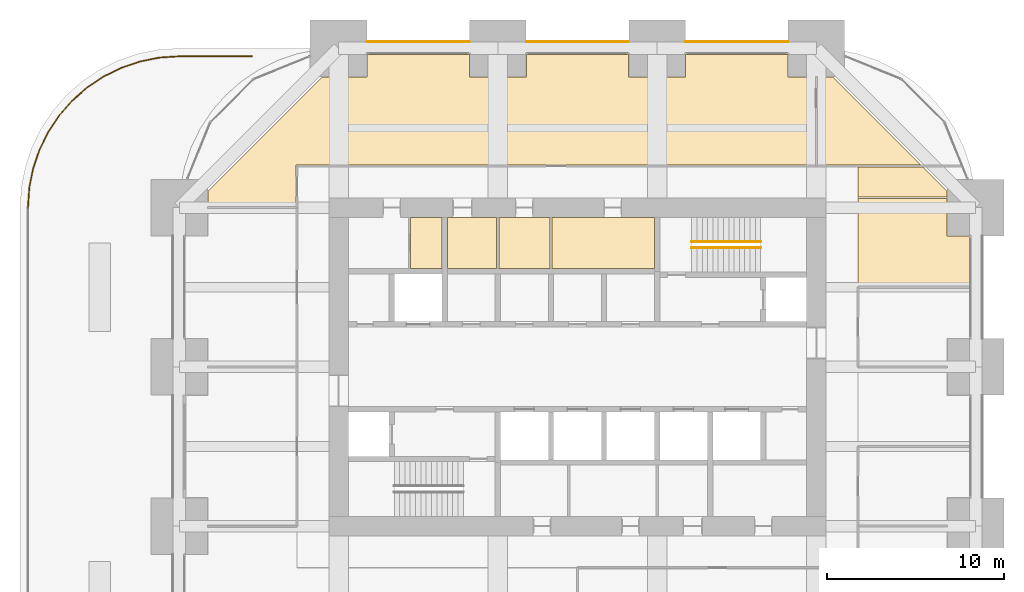
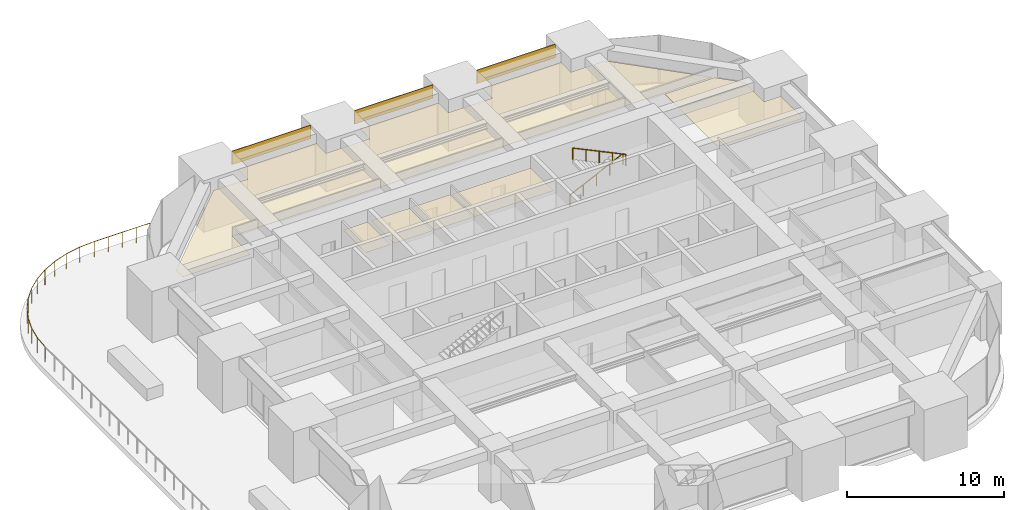
# One storey, part 40 of 40: 11 coverings, 3 railings.
"""IFC4 building model written with IfcOpenShell, lengths in metres."""

import ifcopenshell
import ifcopenshell.guid

model = None  # the IFC model being written
_history = None  # IfcOwnerHistory: only IFC2X3 demands one
_inside = {}  # id of a spatial element -> (the spatial element, [elements in it])
_under = {}  # id of a project, library or spatial element -> (it, [spatial elements below it])
_declared = {}  # id of a project -> (the project, [libraries it declares])
_typed = {}  # id of a type object -> (the type object, [elements of that type])
_made_of = {}  # id of a material, layer set ... -> (it, [elements and type objects made of it])


def new_model(schema):
    """Start an empty IFC model of exactly this schema.

    Asked for "IFC4X3", IfcOpenShell would pick the latest addendum, in which some entities
    have other attributes; the version numbers below select the first issue.
    IFC2X3 requires an IfcOwnerHistory on every rooted entity: one is made here for all.
    """
    global model, _history
    if schema == "IFC4X3":
        model = ifcopenshell.file(schema_version=(4, 3, 0, 0))
    else:
        model = ifcopenshell.file(schema=schema)
    _inside.clear()
    _under.clear()
    _declared.clear()
    _typed.clear()
    _made_of.clear()
    _history = None
    if model.schema == "IFC2X3":
        org = make("IfcOrganization", Name="unknown")
        user = make(
            "IfcPersonAndOrganization",
            ThePerson=make("IfcPerson", FamilyName="unknown"),
            TheOrganization=org,
        )
        app = make(
            "IfcApplication",
            ApplicationDeveloper=org,
            Version="unknown",
            ApplicationFullName="unknown",
            ApplicationIdentifier="unknown",
        )
        _history = make(
            "IfcOwnerHistory",
            OwningUser=user,
            OwningApplication=app,
            ChangeAction="ADDED",
            CreationDate=0,
        )
    return model


def make(cls, **values):
    """One entity of the class cls with the attributes given. An attribute that is None is left unset."""
    return model.create_entity(
        cls, **{name: value for name, value in values.items() if value is not None}
    )


def rooted(cls, **values):
    """An entity with a GlobalId (a new one), such as an element, a storey or a relation."""
    return make(cls, GlobalId=ifcopenshell.guid.new(), OwnerHistory=_history, **values)


def si_unit(unit_type, name, prefix=None):
    """IfcSIUnit, for example si_unit("LENGTHUNIT", "METRE", prefix="MILLI")."""
    return make("IfcSIUnit", UnitType=unit_type, Prefix=prefix, Name=name)


def assignment(units):
    """IfcUnitAssignment: the units of a project."""
    return None if units is None else make("IfcUnitAssignment", Units=units)


def point(xyz):
    """IfcCartesianPoint."""
    return None if xyz is None else make("IfcCartesianPoint", Coordinates=xyz)


def direction(xyz):
    """IfcDirection."""
    return None if xyz is None else make("IfcDirection", DirectionRatios=xyz)


def frame(location, z_axis=None, x_axis=None):
    """IfcAxis2Placement3D, a coordinate frame: its origin and axes. An axis left out is left unset."""
    return make(
        "IfcAxis2Placement3D",
        Location=point(location),
        Axis=direction(z_axis),
        RefDirection=direction(x_axis),
    )


def frame_2d(location, x_axis=None):
    """IfcAxis2Placement2D, a coordinate frame in the plane: its origin and x axis."""
    return make(
        "IfcAxis2Placement2D", Location=point(location), RefDirection=direction(x_axis)
    )


def origin():
    """The frame at (0, 0, 0) with its axes left unset."""
    return frame((0.0, 0.0, 0.0))


def origin_2d():
    """The frame at (0, 0) in the plane with its x axis left unset."""
    return frame_2d((0.0, 0.0))


def place(relative_to, where):
    """IfcLocalPlacement: puts the frame where relative to a parent placement (None: the world)."""
    return make(
        "IfcLocalPlacement", PlacementRelTo=relative_to, RelativePlacement=where
    )


def context(
    kind, dimensions, precision=None, world=None, true_north=None, identifier=None
):
    """IfcGeometricRepresentationContext, for example the 3D "Model" context."""
    return make(
        "IfcGeometricRepresentationContext",
        ContextIdentifier=identifier,
        ContextType=kind,
        CoordinateSpaceDimension=dimensions,
        Precision=precision,
        WorldCoordinateSystem=world,
        TrueNorth=true_north,
    )


def subcontext(parent, identifier, kind, view, scale=None):
    """IfcGeometricRepresentationSubContext, for example "Body" below "Model"."""
    return make(
        "IfcGeometricRepresentationSubContext",
        ContextIdentifier=identifier,
        ContextType=kind,
        ParentContext=parent,
        TargetScale=scale,
        TargetView=view,
    )


def project(units=None, contexts=None):
    """IfcProject with its units and contexts."""
    return rooted(
        "IfcProject",
        Name="project",
        RepresentationContexts=contexts,
        UnitsInContext=assignment(units),
    )


def spatial(cls, under=None, at=None, **own):
    """A site, building, storey or space (cls), placed at a placement, below another one or the project."""
    s = rooted(cls, ObjectPlacement=at, **own)
    if under is not None:
        _under.setdefault(under.id(), (under, []))[1].append(s)
    return s


def polyline(points):
    """IfcPolyline through the points."""
    return make("IfcPolyline", Points=[point(p) for p in points])


def profile(cls, at=None, kind="AREA", **sizes):
    """A parametric profile (cls). Its sizes go by their IFC names, for example OverallWidth=200.0."""
    return make(cls, ProfileType=kind, Position=at, **sizes)


def rectangle(**sizes):
    """IfcRectangleProfileDef."""
    return profile("IfcRectangleProfileDef", **sizes)


def circle(**sizes):
    """IfcCircleProfileDef."""
    return profile("IfcCircleProfileDef", **sizes)


def outline(outer, holes=None, kind="AREA"):
    """IfcArbitraryClosedProfileDef: a profile drawn as a closed curve; with holes, ...WithVoids."""
    if holes is None:
        return make("IfcArbitraryClosedProfileDef", ProfileType=kind, OuterCurve=outer)
    return make(
        "IfcArbitraryProfileDefWithVoids",
        ProfileType=kind,
        OuterCurve=outer,
        InnerCurves=holes,
    )


def extrude(swept, where, along, depth):
    """IfcExtrudedAreaSolid: the profile swept, set in the frame where, extruded along a direction by depth."""
    return make(
        "IfcExtrudedAreaSolid",
        SweptArea=swept,
        Position=where,
        ExtrudedDirection=direction(along),
        Depth=depth,
    )


def shape(context_of_items, identifier, shape_type, items):
    """IfcShapeRepresentation: the items that make up one representation, for example the "Body"."""
    return make(
        "IfcShapeRepresentation",
        ContextOfItems=context_of_items,
        RepresentationIdentifier=identifier,
        RepresentationType=shape_type,
        Items=items,
    )


def material(Name=None, Category=None):
    """IfcMaterial."""
    return make("IfcMaterial", Name=Name, Category=Category)


def layer(
    of_material, thickness, ventilated=None, Name=None, Category=None, Priority=None
):
    """IfcMaterialLayer: one layer of a wall or slab, of a material (None: an air gap)."""
    return make(
        "IfcMaterialLayer",
        Material=of_material,
        LayerThickness=thickness,
        IsVentilated=ventilated,
        Name=Name,
        Category=Category,
        Priority=Priority,
    )


def layer_set(layers, Name=None):
    """IfcMaterialLayerSet."""
    return make("IfcMaterialLayerSet", MaterialLayers=layers, LayerSetName=Name)


def made_of(thing, what):
    """Note that an element or type object is made of a material, layer set ...; save() writes the relation."""
    if what is not None:
        _made_of.setdefault(what.id(), (what, []))[1].append(thing)
    return thing


def type_object(cls, material=None, **own):
    """A type object (cls), such as IfcWallType, which elements share."""
    return made_of(rooted(cls, **own), material)


def element(
    cls,
    number,
    at=None,
    inside=None,
    cuts=None,
    type_object=None,
    material=None,
    context=None,
    identifier="Body",
    shape_type=None,
    held_by="IfcProductDefinitionShape",
    body=None,
    shapes=None,
    **own,
):
    """One element of the class cls, such as IfcWall. Its Tag is "e" and its number.

    at: its placement. inside: the storey or other place that contains it. cuts: it is an
    opening in that element (IfcRelVoidsElement). A single representation is given by context,
    identifier, shape_type and body (its items); several are given by shapes. held_by: the class
    of the entity that holds the representations. save() writes the other relations.
    """
    e = rooted(cls, Tag="e%d" % number, ObjectPlacement=at, **own)
    if body is not None:
        shapes = [shape(context, identifier, shape_type, body)]
    if shapes is not None:
        e.Representation = make(held_by, Representations=shapes)
    if inside is not None:
        _inside.setdefault(inside.id(), (inside, []))[1].append(e)
    if cuts is not None:
        rooted(
            "IfcRelVoidsElement", RelatingBuildingElement=cuts, RelatedOpeningElement=e
        )
    if type_object is not None:
        _typed.setdefault(type_object.id(), (type_object, []))[1].append(e)
    return made_of(e, material)


def aggregate(whole, parts):
    """IfcRelAggregates: a whole, such as a stair, and the parts it consists of."""
    return rooted("IfcRelAggregates", RelatingObject=whole, RelatedObjects=parts)


def save(model, path):
    """Write the relations noted so far, then the file.

    IfcRelAggregates (storeys below a building ...), IfcRelContainedInSpatialStructure (elements
    in a storey), IfcRelDefinesByType, IfcRelAssociatesMaterial and IfcRelDeclares: one each for
    every whole, place, type object, material and project.
    """
    for whole, parts in _under.values():
        aggregate(whole, parts)
    for where, things in _inside.values():
        rooted(
            "IfcRelContainedInSpatialStructure",
            RelatedElements=things,
            RelatingStructure=where,
        )
    for kind, things in _typed.values():
        rooted("IfcRelDefinesByType", RelatedObjects=things, RelatingType=kind)
    for what, things in _made_of.values():
        rooted("IfcRelAssociatesMaterial", RelatedObjects=things, RelatingMaterial=what)
    for by, libraries in _declared.values():
        rooted("IfcRelDeclares", RelatingContext=by, RelatedDefinitions=libraries)
    model.write(path)


model = new_model("IFC4")

# Units and contexts
model_context = context("Model", 3, precision=1e-05, world=origin(), true_north=direction((0.0, 1.0)))
body_context = subcontext(model_context, "Body", "Model", "MODEL_VIEW")
ifc_project = project(units=[si_unit("LENGTHUNIT", "METRE"), si_unit("AREAUNIT", "SQUARE_METRE"), si_unit("VOLUMEUNIT", "CUBIC_METRE"), si_unit("PLANEANGLEUNIT", "RADIAN"), si_unit("MASSUNIT", "GRAM", prefix="KILO")], contexts=[model_context])

# Site, building, storey
site_placement = place(None, origin())
site = spatial("IfcSite", under=ifc_project, at=site_placement, CompositionType="ELEMENT")
building_placement = place(site_placement, origin())
building = spatial("IfcBuilding", under=site, at=building_placement, Name="Zorevar Civic Tower", CompositionType="ELEMENT")
storey_placement = place(building_placement, frame((0.0, 0.0, 239.39990234375)))
storey = spatial("IfcBuildingStorey", under=building, at=storey_placement, Name="L58", CompositionType="ELEMENT", Elevation=239.39990234375)

# Railings
ifc_material_1 = material(Name="Black steel posts and laminated glass", Category="steel")
railing_type_1 = type_object("IfcRailingType", Name="Guard GR1 1200", PredefinedType="GUARDRAIL", material=ifc_material_1)
railing_1_placement = place(storey_placement, frame((0.449951171875, 35.9853515625, 0.0)))
element("IfcRailing", 1, at=railing_1_placement, inside=storey, type_object=railing_type_1, Name="Guard GR1 L58", PredefinedType="GUARDRAIL", context=body_context, shape_type="SweptSolid", body=[
    extrude(circle(Radius=0.02392578125, at=origin_2d()), frame((0.0, 0.0, 1.17578125), z_axis=(0.065503586587, 0.997852333837, 0.0), x_axis=(-0.997852333837, 0.065503586587, 0.0)), (0.0, 0.0, 1.0), 1.133056640625),
    extrude(circle(Radius=0.02392578125, at=origin_2d()), frame((0.07421875, 1.130615234375, 1.17578125), z_axis=(0.194982288456, 0.980806763429, 0.0), x_axis=(-0.980806763429, 0.194982288456, 0.0)), (0.0, 0.0, 1.0), 1.1181640625),
    extrude(circle(Radius=0.02392578125, at=origin_2d()), frame((0.292236328125, 2.227294921875, 1.17578125), z_axis=(0.321593506374, 0.946877825624, 0.0), x_axis=(-0.946877825624, 0.321593506374, 0.0)), (0.0, 0.0, 1.0), 1.1181640625),
    extrude(circle(Radius=0.02392578125, at=origin_2d()), frame((0.65185546875, 3.2861328125, 1.17578125), z_axis=(0.442316540366, 0.896859006823, 0.0), x_axis=(-0.896859006823, 0.442316540366, 0.0)), (0.0, 0.0, 1.0), 1.1181640625),
    extrude(circle(Radius=0.02392578125, at=origin_2d()), frame((1.146484375, 4.2890625, 1.17578125), z_axis=(0.555405337512, 0.831579768311, 0.0), x_axis=(-0.831579768311, 0.555405337512, 0.0)), (0.0, 0.0, 1.0), 1.1181640625),
    extrude(circle(Radius=0.02392578125, at=origin_2d()), frame((1.767578125, 5.218994140625, 1.17578125), z_axis=(0.659307936578, 0.751873024363, 0.0), x_axis=(-0.751873024363, 0.659307936578, 0.0)), (0.0, 0.0, 1.0), 1.118408203125),
    extrude(circle(Radius=0.02392578125, at=origin_2d()), frame((2.5048828125, 6.059814453125, 1.17578125), z_axis=(0.751873024363, 0.659307936578, 0.0), x_axis=(-0.659307936578, 0.751873024363, 0.0)), (0.0, 0.0, 1.0), 1.118408203125),
    extrude(circle(Radius=0.02392578125, at=origin_2d()), frame((3.345703125, 6.797119140625, 1.17578125), z_axis=(0.831579768311, 0.555405337512, 0.0), x_axis=(-0.555405337512, 0.831579768311, 0.0)), (0.0, 0.0, 1.0), 1.1181640625),
    extrude(circle(Radius=0.02392578125, at=origin_2d()), frame((4.275634765625, 7.418212890625, 1.17578125), z_axis=(0.896859006823, 0.442316540366, 0.0), x_axis=(-0.442316540366, 0.896859006823, 0.0)), (0.0, 0.0, 1.0), 1.1181640625),
    extrude(circle(Radius=0.02392578125, at=origin_2d()), frame((5.278564453125, 7.912841796875, 1.17578125), z_axis=(0.946877825624, 0.321593506374, 0.0), x_axis=(-0.321593506374, 0.946877825624, 0.0)), (0.0, 0.0, 1.0), 1.1181640625),
    extrude(circle(Radius=0.02392578125, at=origin_2d()), frame((6.33740234375, 8.2724609375, 1.17578125), z_axis=(0.980806763429, 0.194982288456, 0.0), x_axis=(-0.194982288456, 0.980806763429, 0.0)), (0.0, 0.0, 1.0), 1.1181640625),
    extrude(circle(Radius=0.02392578125, at=origin_2d()), frame((7.43408203125, 8.490478515625, 1.17578125), z_axis=(0.997852333837, 0.065503586587, 0.0), x_axis=(-0.065503586587, 0.997852333837, 0.0)), (0.0, 0.0, 1.0), 1.133056640625),
    extrude(circle(Radius=0.02392578125, at=origin_2d()), frame((8.564697265625, 8.564697265625, 1.17578125), z_axis=(1.0, 0.0, 0.0), x_axis=(0.0, 1.0, 0.0)), (0.0, 0.0, 1.0), 4.09619140625),
    extrude(circle(Radius=0.02099609375, at=origin_2d()), origin(), (0.0, 0.0, 1.0), 1.15185546875),
    extrude(circle(Radius=0.02099609375, at=origin_2d()), frame((0.07421875, 1.130615234375, 0.0)), (0.0, 0.0, 1.0), 1.15185546875),
    extrude(circle(Radius=0.02099609375, at=origin_2d()), frame((0.292236328125, 2.227294921875, 0.0)), (0.0, 0.0, 1.0), 1.15185546875),
    extrude(circle(Radius=0.02099609375, at=origin_2d()), frame((0.65185546875, 3.2861328125, 0.0)), (0.0, 0.0, 1.0), 1.15185546875),
    extrude(circle(Radius=0.02099609375, at=origin_2d()), frame((1.146484375, 4.2890625, 0.0)), (0.0, 0.0, 1.0), 1.15185546875),
    extrude(circle(Radius=0.02099609375, at=origin_2d()), frame((1.767578125, 5.218994140625, 0.0)), (0.0, 0.0, 1.0), 1.15185546875),
    extrude(circle(Radius=0.02099609375, at=origin_2d()), frame((2.5048828125, 6.059814453125, 0.0)), (0.0, 0.0, 1.0), 1.15185546875),
    extrude(circle(Radius=0.02099609375, at=origin_2d()), frame((3.345703125, 6.797119140625, 0.0)), (0.0, 0.0, 1.0), 1.15185546875),
    extrude(circle(Radius=0.02099609375, at=origin_2d()), frame((4.275634765625, 7.418212890625, 0.0)), (0.0, 0.0, 1.0), 1.15185546875),
    extrude(circle(Radius=0.02099609375, at=origin_2d()), frame((5.278564453125, 7.912841796875, 0.0)), (0.0, 0.0, 1.0), 1.15185546875),
    extrude(circle(Radius=0.02099609375, at=origin_2d()), frame((6.33740234375, 8.2724609375, 0.0)), (0.0, 0.0, 1.0), 1.15185546875),
    extrude(circle(Radius=0.02099609375, at=origin_2d()), frame((7.43408203125, 8.490478515625, 0.0)), (0.0, 0.0, 1.0), 1.15185546875),
    extrude(circle(Radius=0.02099609375, at=origin_2d()), frame((8.564697265625, 8.564697265625, 0.0)), (0.0, 0.0, 1.0), 1.15185546875),
    extrude(circle(Radius=0.02099609375, at=origin_2d()), frame((9.5888671875, 8.564697265625, 0.0)), (0.0, 0.0, 1.0), 1.15185546875),
    extrude(circle(Radius=0.02099609375, at=origin_2d()), frame((10.61279296875, 8.564697265625, 0.0)), (0.0, 0.0, 1.0), 1.15185546875),
    extrude(circle(Radius=0.02099609375, at=origin_2d()), frame((11.63671875, 8.564697265625, 0.0)), (0.0, 0.0, 1.0), 1.15185546875),
    extrude(circle(Radius=0.02099609375, at=origin_2d()), frame((12.660888671875, 8.564697265625, 0.0)), (0.0, 0.0, 1.0), 1.15185546875),
])
ifc_material_2 = material(Name="Black steel handrail", Category="steel")
railing_type_2 = type_object("IfcRailingType", Name="Handrail HR1 900", PredefinedType="HANDRAIL", material=ifc_material_2)
railing_2_placement = place(storey_placement, frame((37.949951171875, 34.074951171875, 0.14306640625)))
element("IfcRailing", 2, at=railing_2_placement, inside=storey, type_object=railing_type_2, Name="Handrail HR1 ST2 L58", PredefinedType="HANDRAIL", context=body_context, shape_type="SweptSolid", body=[
    extrude(circle(Radius=0.02392578125, at=origin_2d()), frame((0.0, 0.0, 0.8759765625), z_axis=(0.902885590262, 0.0, 0.429880926418), x_axis=(0.0, 1.0, 0.0)), (0.0, 0.0, 1.0), 4.319580078125),
    extrude(circle(Radius=0.02099609375, at=origin_2d()), origin(), (0.0, 0.0, 1.0), 0.851806640625),
    extrude(circle(Radius=0.02099609375, at=origin_2d()), frame((0.97509765625, 0.0, 0.46435546875)), (0.0, 0.0, 1.0), 0.851806640625),
    extrude(circle(Radius=0.02099609375, at=origin_2d()), frame((1.9501953125, 0.0, 0.928466796875)), (0.0, 0.0, 1.0), 0.851806640625),
    extrude(circle(Radius=0.02099609375, at=origin_2d()), frame((2.925048828125, 0.0, 1.392578125)), (0.0, 0.0, 1.0), 0.851806640625),
    extrude(circle(Radius=0.02099609375, at=origin_2d()), frame((3.900146484375, 0.0, 1.85693359375)), (0.0, 0.0, 1.0), 0.851806640625),
])
railing_3_placement = place(storey_placement, frame((41.85009765625, 33.72509765625, 2.14306640625)))
element("IfcRailing", 3, at=railing_3_placement, inside=storey, type_object=railing_type_2, Name="Handrail HR1 ST2 L58", PredefinedType="HANDRAIL", context=body_context, shape_type="SweptSolid", body=[
    extrude(circle(Radius=0.02392578125, at=origin_2d()), frame((0.0, 0.0, 0.8759765625), z_axis=(-0.902885590262, 0.0, 0.429880926418), x_axis=(0.0, -1.0, 0.0)), (0.0, 0.0, 1.0), 4.319580078125),
    extrude(circle(Radius=0.02099609375, at=origin_2d()), origin(), (0.0, 0.0, 1.0), 0.851806640625),
    extrude(circle(Radius=0.02099609375, at=origin_2d()), frame((-0.97509765625, 0.0, 0.46435546875)), (0.0, 0.0, 1.0), 0.851806640625),
    extrude(circle(Radius=0.02099609375, at=origin_2d()), frame((-1.9501953125, 0.0, 0.928466796875)), (0.0, 0.0, 1.0), 0.851806640625),
    extrude(circle(Radius=0.02099609375, at=origin_2d()), frame((-2.925048828125, 0.0, 1.392578125)), (0.0, 0.0, 1.0), 0.851806640625),
    extrude(circle(Radius=0.02099609375, at=origin_2d()), frame((-3.900146484375, 0.0, 1.85693359375)), (0.0, 0.0, 1.0), 0.851806640625),
])

# Coverings
ifc_material_3 = material(Name="Moisture-resistant gypsum board")
ifc_layer_1 = layer(ifc_material_3, 0.012451171875)
ifc_layer_set_1 = layer_set([ifc_layer_1], Name="Moisture-resistant ceiling SC3")
covering_type_1 = type_object("IfcCoveringType", Name="Moisture-resistant ceiling SC3", PredefinedType="CEILING", material=ifc_layer_set_1)
covering_1_placement = place(storey_placement, frame((0.0, 0.0, 3.0)))
element("IfcCovering", 4, at=covering_1_placement, inside=storey, type_object=covering_type_1, Name="Ceiling L58-10", PredefinedType="CEILING", context=body_context, shape_type="SweptSolid", body=[
    extrude(outline(polyline([(26.925048828125, 32.550048828125), (26.925048828125, 35.449951171875), (24.14990234375, 35.449951171875), (24.14990234375, 32.550048828125), (26.925048828125, 32.550048828125)])), origin(), (0.0, 0.0, 1.0), 0.0126953125),
])
ifc_material_4 = material(Name="Black anodised aluminium spandrel panel", Category="aluminium")
ifc_layer_2 = layer(ifc_material_4, 0.050048828125)
ifc_layer_set_2 = layer_set([ifc_layer_2], Name="Spandrel cladding SP1")
covering_type_2 = type_object("IfcCoveringType", Name="Spandrel cladding SP1", PredefinedType="CLADDING", material=ifc_layer_set_2)
for number, where, z_axis, x_axis, name in (
    (5, (19.60009765625, 45.375, 2.9501953125), (0.0, 0.0, 1.0), (1.0, 0.0, 0.0), "Spandrel cladding L59"),
    (6, (28.60009765625, 45.375, 2.9501953125), (0.0, 0.0, 1.0), (1.0, 0.0, 0.0), "Spandrel cladding L59"),
    (7, (37.60009765625, 45.375, 2.9501953125), (0.0, 0.0, 1.0), (1.0, 0.0, 0.0), "Spandrel cladding L59"),
):
    element("IfcCovering", number, at=place(storey_placement, frame(where, z_axis=z_axis, x_axis=x_axis)), inside=storey, type_object=covering_type_2, Name=name, PredefinedType="CLADDING", context=body_context, shape_type="SweptSolid", body=[
        extrude(rectangle(XDim=5.7998046875, YDim=0.050048828125, at=frame_2d((2.89990234375, 0.0))), origin(), (0.0, 0.0, 1.0), 1.0498046875),
    ])
ifc_material_5 = material(Name="Mineral fibre tiles on a concealed grid")
ifc_layer_3 = layer(ifc_material_5, 0.02001953125)
ifc_layer_set_3 = layer_set([ifc_layer_3], Name="Suspended ceiling SC1")
covering_type_3 = type_object("IfcCoveringType", Name="Suspended ceiling SC1", PredefinedType="CEILING", material=ifc_layer_set_3)
covering_2_placement = place(storey_placement, frame((0.0, 0.0, 3.0)))
element("IfcCovering", 8, at=covering_2_placement, inside=storey, type_object=covering_type_3, Name="Ceiling L58-08", PredefinedType="CEILING", context=body_context, shape_type="SweptSolid", body=[
    extrude(outline(polyline([(35.85009765625, 32.550048828125), (35.85009765625, 35.449951171875), (30.06005859375, 35.449951171875), (30.06005859375, 32.550048828125), (35.85009765625, 32.550048828125)])), origin(), (0.0, 0.0, 1.0), 0.02001953125),
])
covering_3_placement = place(storey_placement, frame((0.0, 0.0, 3.0)))
element("IfcCovering", 9, at=covering_3_placement, inside=storey, type_object=covering_type_3, Name="Ceiling L58-09", PredefinedType="CEILING", context=body_context, shape_type="SweptSolid", body=[
    extrude(outline(polyline([(29.93994140625, 32.550048828125), (29.93994140625, 35.449951171875), (27.074951171875, 35.449951171875), (27.074951171875, 32.550048828125), (29.93994140625, 32.550048828125)])), origin(), (0.0, 0.0, 1.0), 0.02001953125),
])
covering_4_placement = place(storey_placement, frame((0.0, 0.0, 3.0)))
element("IfcCovering", 10, at=covering_4_placement, inside=storey, type_object=covering_type_3, Name="Ceiling L58-12", PredefinedType="CEILING", context=body_context, shape_type="SweptSolid", body=[
    extrude(outline(polyline([(23.85009765625, 32.550048828125), (23.85009765625, 35.449951171875), (22.06005859375, 35.449951171875), (22.06005859375, 32.550048828125), (23.85009765625, 32.550048828125)])), origin(), (0.0, 0.0, 1.0), 0.02001953125),
])
covering_5_placement = place(storey_placement, frame((0.0, 0.0, 3.0)))
element("IfcCovering", 11, at=covering_5_placement, inside=storey, type_object=covering_type_3, Name="Ceiling L58-28", PredefinedType="CEILING", context=body_context, shape_type="SweptSolid", body=[
    extrude(outline(polyline([(45.06005859375, 38.409912109375), (45.06005859375, 43.389892578125), (45.90283203125, 43.389892578125), (50.8828125, 38.409912109375), (45.06005859375, 38.409912109375)])), origin(), (0.0, 0.0, 1.0), 0.02001953125),
])
covering_6_placement = place(storey_placement, frame((0.0, 0.0, 3.0)))
element("IfcCovering", 12, at=covering_6_placement, inside=storey, type_object=covering_type_3, Name="Ceiling L58-30", PredefinedType="CEILING", context=body_context, shape_type="SweptSolid", body=[
    extrude(outline(polyline([(47.35009765625, 31.56005859375), (47.35009765625, 36.5), (52.389892578125, 36.5), (52.389892578125, 34.389892578125), (53.64990234375, 34.389892578125), (53.64990234375, 31.56005859375), (47.35009765625, 31.56005859375)])), origin(), (0.0, 0.0, 1.0), 0.02001953125),
])
covering_7_placement = place(storey_placement, frame((0.0, 0.0, 3.0)))
element("IfcCovering", 13, at=covering_7_placement, inside=storey, type_object=covering_type_3, Name="Ceiling L58-32", PredefinedType="CEILING", context=body_context, shape_type="SweptSolid", body=[
    extrude(outline(polyline([(19.610107421875, 43.389892578125), (19.610107421875, 44.64892578125), (25.389892578125, 44.64892578125), (25.389892578125, 43.389892578125), (28.610107421875, 43.389892578125), (28.610107421875, 44.64892578125), (34.389892578125, 44.64892578125), (34.389892578125, 43.389892578125), (37.610107421875, 43.389892578125), (37.610107421875, 44.64892578125), (43.389892578125, 44.64892578125), (43.389892578125, 43.389892578125), (44.93896484375, 43.389892578125), (44.93896484375, 38.40087890625), (15.599853515625, 38.40087890625), (15.60009765625, 36.06005859375), (10.610107421875, 36.06005859375), (10.610107421875, 36.90283203125), (17.09716796875, 43.389892578125), (19.610107421875, 43.389892578125)])), origin(), (0.0, 0.0, 1.0), 0.02001953125),
])
covering_8_placement = place(storey_placement, frame((0.0, 0.0, 3.0)))
element("IfcCovering", 14, at=covering_8_placement, inside=storey, type_object=covering_type_3, Name="Ceiling L58-33", PredefinedType="CEILING", context=body_context, shape_type="SweptSolid", body=[
    extrude(outline(polyline([(52.389892578125, 36.60009765625), (47.35009765625, 36.60009765625), (47.35009765625, 38.2900390625), (51.0029296875, 38.2900390625), (52.389892578125, 36.90283203125), (52.389892578125, 36.60009765625)])), origin(), (0.0, 0.0, 1.0), 0.02001953125),
])

save(model, "model.ifc")
